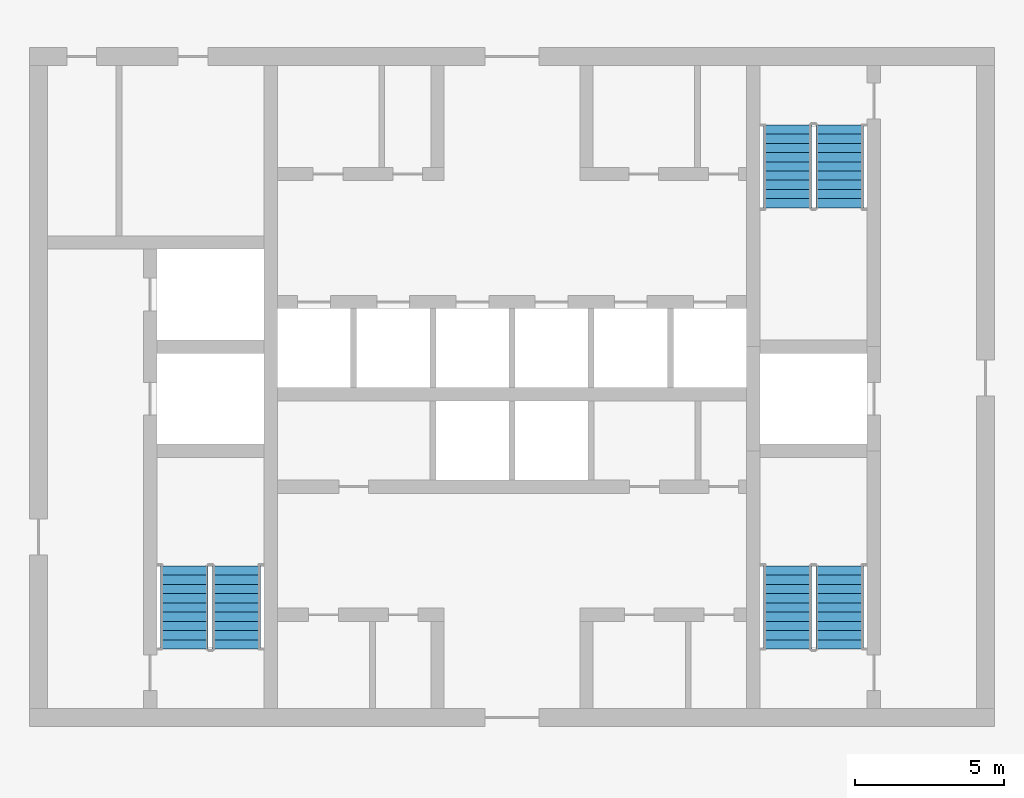
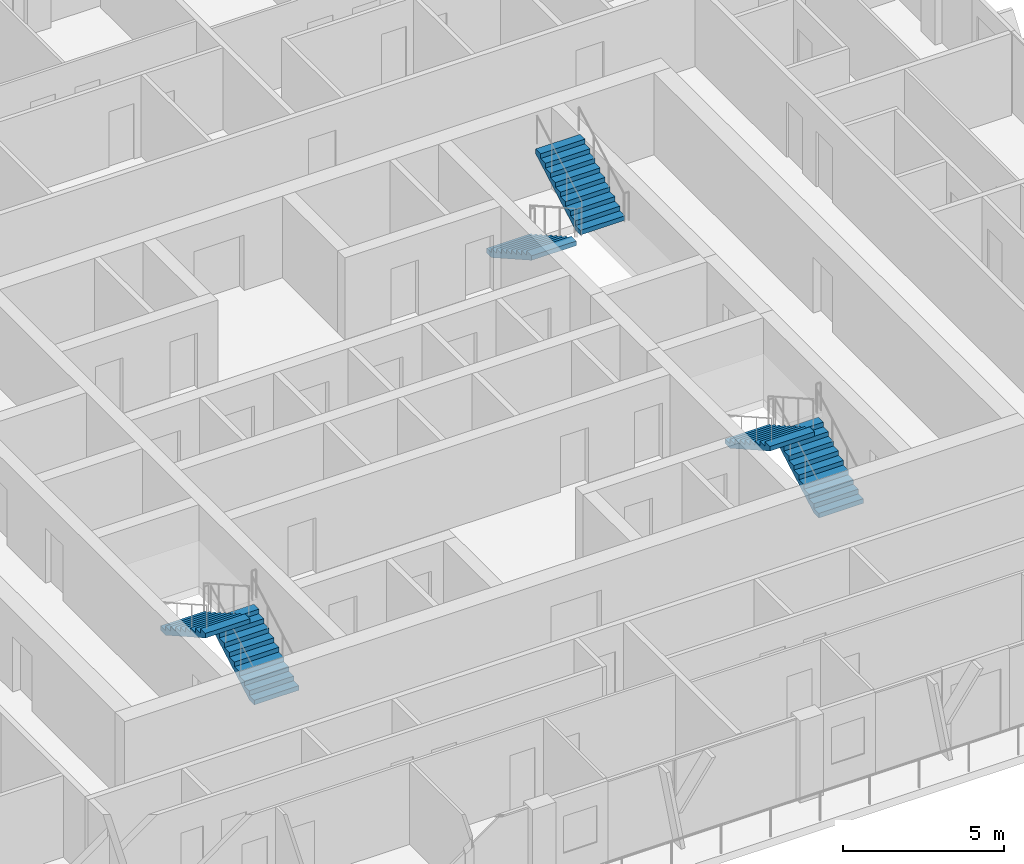
# One storey, part 16 of 22: 6 stair flights, 3 elements without a shape of their own.
"""IFC4 building model written with IfcOpenShell, lengths in metres."""

from ifc_helpers import new_model, si_unit, direction, frame, origin, place, context, subcontext, project, spatial, polyline, outline, extrude, material, type_object, element, aggregate, save


model = new_model("IFC4")

# Units and contexts
model_context = context("Model", 3, precision=1e-05, world=origin(), true_north=direction((0.0, 1.0)))
body_context = subcontext(model_context, "Body", "Model", "MODEL_VIEW")
ifc_project = project(units=[si_unit("LENGTHUNIT", "METRE"), si_unit("AREAUNIT", "SQUARE_METRE"), si_unit("VOLUMEUNIT", "CUBIC_METRE"), si_unit("PLANEANGLEUNIT", "RADIAN"), si_unit("MASSUNIT", "GRAM", prefix="KILO")], contexts=[model_context])

# Site, building, storey
site_placement = place(None, origin())
site = spatial("IfcSite", under=ifc_project, at=site_placement, CompositionType="ELEMENT")
building_placement = place(site_placement, origin())
building = spatial("IfcBuilding", under=site, at=building_placement, Name="Madar Terraces", CompositionType="ELEMENT")
storey_placement = place(building_placement, frame((0.0, 0.0, 259.699951171875)))
storey = spatial("IfcBuildingStorey", under=building, at=storey_placement, Name="L68", CompositionType="ELEMENT", Elevation=259.699951171875)

# Stair, stair flights
ifc_material_1 = material(Name="Concrete C50/60", Category="concrete")
stair_type_1 = type_object("IfcStairType", Name="Stair ST1 protected exit", PredefinedType="HALF_TURN_STAIR", material=ifc_material_1)
stair_1_placement = place(storey_placement, origin())
stair_1 = element("IfcStair", 1, at=stair_1_placement, inside=storey, type_object=stair_type_1, Name="L68 Protected Exit Stair ST1", PredefinedType="HALF_TURN_STAIR")
ifc_material_2 = material(Name="Concrete C50/60", Category="concrete")
stair_flight_type_1 = type_object("IfcStairFlightType", Name="Stair flight ST1-F4, 1600 wide, 10 risers", PredefinedType="STRAIGHT", material=ifc_material_2)
stair_flight_1_placement = place(storey_placement, frame((21.949951171875, 17.60009765625, 0.0), z_axis=(0.0, 0.0, 1.0), x_axis=(0.0, 1.0, 0.0)))
stair_flight_1 = element("IfcStairFlight", 2, at=stair_flight_1_placement, type_object=stair_flight_type_1, Name="ST1 flight 1", NumberOfRisers=10, NumberOfTreads=9, PredefinedType="STRAIGHT", RiserHeight=0.175, TreadLength=0.31, context=body_context, shape_type="SweptSolid", body=[
    extrude(outline(polyline([(0.0, 0.0), (0.0, 0.175048828125), (0.31005859375, 0.175048828125), (0.31005859375, 0.35009765625), (0.6201171875, 0.35009765625), (0.6201171875, 0.52490234375), (0.929931640625, 0.52490234375), (0.929931640625, 0.699951171875), (1.239990234375, 0.699951171875), (1.239990234375, 0.875), (1.550048828125, 0.875), (1.550048828125, 1.050048828125), (1.860107421875, 1.050048828125), (1.860107421875, 1.22509765625), (2.169921875, 1.22509765625), (2.169921875, 1.39990234375), (2.47998046875, 1.39990234375), (2.47998046875, 1.574951171875), (2.7900390625, 1.574951171875), (2.7900390625, 1.75), (2.7900390625, 1.40283203125), (0.304931640625, 0.0), (0.0, 0.0)])), frame((0.0, 0.800048828125, 0.0), z_axis=(0.0, -1.0, 0.0), x_axis=(1.0, 0.0, 0.0)), (0.0, 0.0, 1.0), 1.60009765625),
])
stair_flight_2_placement = place(storey_placement, frame((20.199951171875, 20.389892578125, 1.75), z_axis=(0.0, 0.0, 1.0), x_axis=(0.0, -1.0, 0.0)))
stair_flight_2 = element("IfcStairFlight", 3, at=stair_flight_2_placement, type_object=stair_flight_type_1, Name="ST1 flight 2", NumberOfRisers=10, NumberOfTreads=9, PredefinedType="STRAIGHT", RiserHeight=0.175, TreadLength=0.31, context=body_context, shape_type="SweptSolid", body=[
    extrude(outline(polyline([(0.0, 0.0), (0.0, 0.175048828125), (0.31005859375, 0.175048828125), (0.31005859375, 0.35009765625), (0.6201171875, 0.35009765625), (0.6201171875, 0.52490234375), (0.929931640625, 0.52490234375), (0.929931640625, 0.699951171875), (1.239990234375, 0.699951171875), (1.239990234375, 0.875), (1.550048828125, 0.875), (1.550048828125, 1.050048828125), (1.860107421875, 1.050048828125), (1.860107421875, 1.22509765625), (2.169921875, 1.22509765625), (2.169921875, 1.39990234375), (2.47998046875, 1.39990234375), (2.47998046875, 1.574951171875), (2.7900390625, 1.574951171875), (2.7900390625, 1.75), (2.7900390625, 1.40283203125), (0.304931640625, 0.0), (0.0, 0.0)])), frame((0.0, 0.800048828125, 0.0), z_axis=(0.0, -1.0, 0.0), x_axis=(1.0, 0.0, 0.0)), (0.0, 0.0, 1.0), 1.60009765625),
])
aggregate(stair_1, [stair_flight_1, stair_flight_2])

ifc_material_3 = material(Name="Concrete C50/60", Category="concrete")
stair_type_2 = type_object("IfcStairType", Name="Stair ST2 protected exit", PredefinedType="HALF_TURN_STAIR", material=ifc_material_3)
stair_2_placement = place(storey_placement, origin())
stair_2 = element("IfcStair", 4, at=stair_2_placement, inside=storey, type_object=stair_type_2, Name="L68 Protected Exit Stair ST2", PredefinedType="HALF_TURN_STAIR")
ifc_material_4 = material(Name="Concrete C50/60", Category="concrete")
stair_flight_type_2 = type_object("IfcStairFlightType", Name="Stair flight ST2-F4, 1600 wide, 10 risers", PredefinedType="STRAIGHT", material=ifc_material_4)
stair_flight_3_placement = place(storey_placement, frame((40.449951171875, 35.199951171875, 0.0), z_axis=(0.0, 0.0, 1.0), x_axis=(0.0, -1.0, 0.0)))
stair_flight_3 = element("IfcStairFlight", 5, at=stair_flight_3_placement, type_object=stair_flight_type_2, Name="ST2 flight 1", NumberOfRisers=10, NumberOfTreads=9, PredefinedType="STRAIGHT", RiserHeight=0.175, TreadLength=0.31, context=body_context, shape_type="SweptSolid", body=[
    extrude(outline(polyline([(0.0, 0.0), (0.0, 0.175048828125), (0.31005859375, 0.175048828125), (0.31005859375, 0.35009765625), (0.6201171875, 0.35009765625), (0.6201171875, 0.52490234375), (0.929931640625, 0.52490234375), (0.929931640625, 0.699951171875), (1.239990234375, 0.699951171875), (1.239990234375, 0.875), (1.550048828125, 0.875), (1.550048828125, 1.050048828125), (1.860107421875, 1.050048828125), (1.860107421875, 1.22509765625), (2.169921875, 1.22509765625), (2.169921875, 1.39990234375), (2.47998046875, 1.39990234375), (2.47998046875, 1.574951171875), (2.7900390625, 1.574951171875), (2.7900390625, 1.75), (2.7900390625, 1.40283203125), (0.304931640625, 0.0), (0.0, 0.0)])), frame((0.0, 0.800048828125, 0.0), z_axis=(0.0, -1.0, 0.0), x_axis=(1.0, 0.0, 0.0)), (0.0, 0.0, 1.0), 1.60009765625),
])
stair_flight_4_placement = place(storey_placement, frame((42.199951171875, 32.409912109375, 1.75), z_axis=(0.0, 0.0, 1.0), x_axis=(0.0, 1.0, 0.0)))
stair_flight_4 = element("IfcStairFlight", 6, at=stair_flight_4_placement, type_object=stair_flight_type_2, Name="ST2 flight 2", NumberOfRisers=10, NumberOfTreads=9, PredefinedType="STRAIGHT", RiserHeight=0.175, TreadLength=0.31, context=body_context, shape_type="SweptSolid", body=[
    extrude(outline(polyline([(0.0, 0.0), (0.0, 0.175048828125), (0.31005859375, 0.175048828125), (0.31005859375, 0.35009765625), (0.6201171875, 0.35009765625), (0.6201171875, 0.52490234375), (0.929931640625, 0.52490234375), (0.929931640625, 0.699951171875), (1.239990234375, 0.699951171875), (1.239990234375, 0.875), (1.550048828125, 0.875), (1.550048828125, 1.050048828125), (1.860107421875, 1.050048828125), (1.860107421875, 1.22509765625), (2.169921875, 1.22509765625), (2.169921875, 1.39990234375), (2.47998046875, 1.39990234375), (2.47998046875, 1.574951171875), (2.7900390625, 1.574951171875), (2.7900390625, 1.75), (2.7900390625, 1.40283203125), (0.304931640625, 0.0), (0.0, 0.0)])), frame((0.0, 0.800048828125, 0.0), z_axis=(0.0, -1.0, 0.0), x_axis=(1.0, 0.0, 0.0)), (0.0, 0.0, 1.0), 1.60009765625),
])
aggregate(stair_2, [stair_flight_3, stair_flight_4])

ifc_material_5 = material(Name="Concrete C50/60", Category="concrete")
stair_type_3 = type_object("IfcStairType", Name="Stair ST3 protected exit", PredefinedType="HALF_TURN_STAIR", material=ifc_material_5)
stair_3_placement = place(storey_placement, origin())
stair_3 = element("IfcStair", 7, at=stair_3_placement, inside=storey, type_object=stair_type_3, Name="L68 Protected Exit Stair ST3", PredefinedType="HALF_TURN_STAIR")
ifc_material_6 = material(Name="Concrete C50/60", Category="concrete")
stair_flight_type_3 = type_object("IfcStairFlightType", Name="Stair flight ST3-F4, 1600 wide, 10 risers", PredefinedType="STRAIGHT", material=ifc_material_6)
stair_flight_5_placement = place(storey_placement, frame((42.199951171875, 17.60009765625, 0.0), z_axis=(0.0, 0.0, 1.0), x_axis=(0.0, 1.0, 0.0)))
stair_flight_5 = element("IfcStairFlight", 8, at=stair_flight_5_placement, type_object=stair_flight_type_3, Name="ST3 flight 1", NumberOfRisers=10, NumberOfTreads=9, PredefinedType="STRAIGHT", RiserHeight=0.175, TreadLength=0.31, context=body_context, shape_type="SweptSolid", body=[
    extrude(outline(polyline([(0.0, 0.0), (0.0, 0.175048828125), (0.31005859375, 0.175048828125), (0.31005859375, 0.35009765625), (0.6201171875, 0.35009765625), (0.6201171875, 0.52490234375), (0.929931640625, 0.52490234375), (0.929931640625, 0.699951171875), (1.239990234375, 0.699951171875), (1.239990234375, 0.875), (1.550048828125, 0.875), (1.550048828125, 1.050048828125), (1.860107421875, 1.050048828125), (1.860107421875, 1.22509765625), (2.169921875, 1.22509765625), (2.169921875, 1.39990234375), (2.47998046875, 1.39990234375), (2.47998046875, 1.574951171875), (2.7900390625, 1.574951171875), (2.7900390625, 1.75), (2.7900390625, 1.40283203125), (0.304931640625, 0.0), (0.0, 0.0)])), frame((0.0, 0.800048828125, 0.0), z_axis=(0.0, -1.0, 0.0), x_axis=(1.0, 0.0, 0.0)), (0.0, 0.0, 1.0), 1.60009765625),
])
stair_flight_6_placement = place(storey_placement, frame((40.449951171875, 20.389892578125, 1.75), z_axis=(0.0, 0.0, 1.0), x_axis=(0.0, -1.0, 0.0)))
stair_flight_6 = element("IfcStairFlight", 9, at=stair_flight_6_placement, type_object=stair_flight_type_3, Name="ST3 flight 2", NumberOfRisers=10, NumberOfTreads=9, PredefinedType="STRAIGHT", RiserHeight=0.175, TreadLength=0.31, context=body_context, shape_type="SweptSolid", body=[
    extrude(outline(polyline([(0.0, 0.0), (0.0, 0.175048828125), (0.31005859375, 0.175048828125), (0.31005859375, 0.35009765625), (0.6201171875, 0.35009765625), (0.6201171875, 0.52490234375), (0.929931640625, 0.52490234375), (0.929931640625, 0.699951171875), (1.239990234375, 0.699951171875), (1.239990234375, 0.875), (1.550048828125, 0.875), (1.550048828125, 1.050048828125), (1.860107421875, 1.050048828125), (1.860107421875, 1.22509765625), (2.169921875, 1.22509765625), (2.169921875, 1.39990234375), (2.47998046875, 1.39990234375), (2.47998046875, 1.574951171875), (2.7900390625, 1.574951171875), (2.7900390625, 1.75), (2.7900390625, 1.40283203125), (0.304931640625, 0.0), (0.0, 0.0)])), frame((0.0, 0.800048828125, 0.0), z_axis=(0.0, -1.0, 0.0), x_axis=(1.0, 0.0, 0.0)), (0.0, 0.0, 1.0), 1.60009765625),
])
aggregate(stair_3, [stair_flight_5, stair_flight_6])

save(model, "model.ifc")
